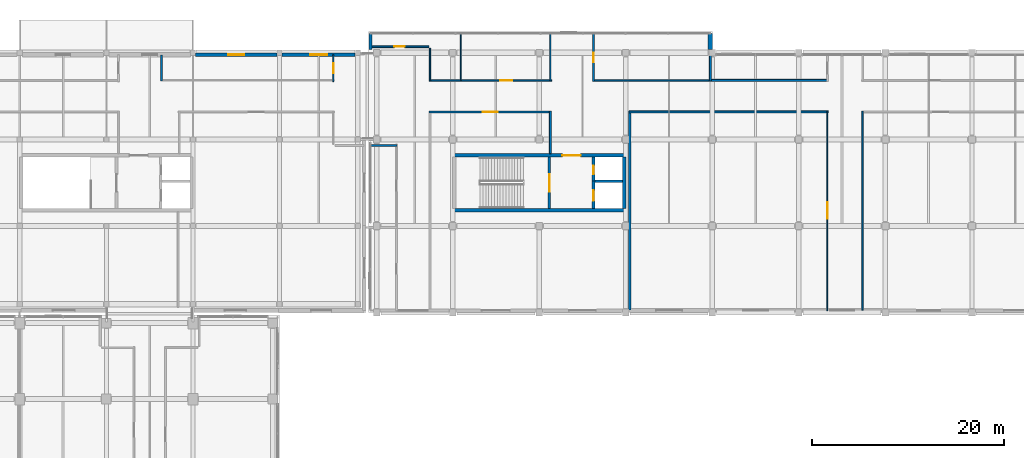
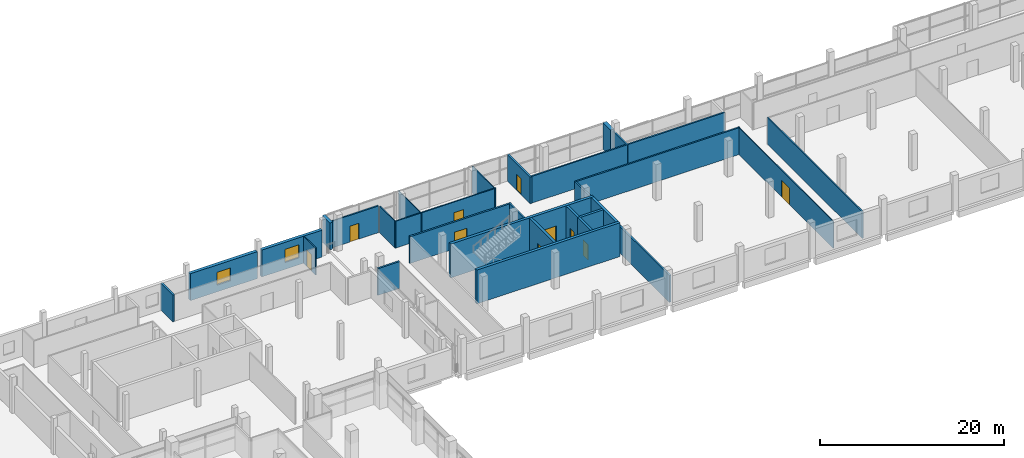
# One storey, part 83 of 111: 30 walls, 10 doors, 2 windows, 12 openings.
"""IFC4 building model written with IfcOpenShell, lengths in metres."""

from ifc_helpers import new_model, si_unit, direction, frame, frame_2d, origin, place, context, subcontext, project, spatial, rectangle, extrude, material, layer, layer_set, type_object, element, fill, save


model = new_model("IFC4")

# Units and contexts
model_context = context("Model", 3, precision=1e-05, world=origin(), true_north=direction((0.0, 1.0)))
body_context = subcontext(model_context, "Body", "Model", "MODEL_VIEW")
ifc_project = project(units=[si_unit("LENGTHUNIT", "METRE"), si_unit("AREAUNIT", "SQUARE_METRE"), si_unit("VOLUMEUNIT", "CUBIC_METRE"), si_unit("PLANEANGLEUNIT", "RADIAN"), si_unit("MASSUNIT", "GRAM", prefix="KILO"), si_unit("THERMODYNAMICTEMPERATUREUNIT", "KELVIN"), si_unit("POWERUNIT", "WATT")], contexts=[model_context])

# Site, building, storey
site_placement = place(None, origin())
site = spatial("IfcSite", under=ifc_project, at=site_placement, CompositionType="ELEMENT")
building_placement = place(site_placement, origin())
building = spatial("IfcBuilding", under=site, at=building_placement, Name="Sindhuravela Promenade Stadium", CompositionType="ELEMENT")
storey_placement = place(building_placement, frame((0.0, 0.0, 9.60009765625)))
storey = spatial("IfcBuildingStorey", under=building, at=storey_placement, Name="L02", CompositionType="ELEMENT", Elevation=9.60009765625)

# Wall
ifc_material_1 = material(Name="Terracotta clay brick masonry (15 MPa)", Category="masonry")
ifc_layer_1 = layer(ifc_material_1, 0.340087890625)
ifc_layer_set_1 = layer_set([ifc_layer_1], Name="Terracotta clay brick masonry (15 MPa)")
wall_type_1 = type_object("IfcWallType", Name="EX-WL-BRK340", PredefinedType="SOLIDWALL", material=ifc_layer_set_1)
wall_1_placement = place(storey_placement, frame((54.449951171875, 153.35498046875, 0.0), z_axis=(0.0, 0.0, 1.0), x_axis=(0.0, 1.0, 0.0)))
element("IfcWall", 1, at=wall_1_placement, inside=storey, type_object=wall_type_1, Name="Exterior masonry wall EW06 NORTH L02", PredefinedType="SOLIDWALL", context=body_context, shape_type="SweptSolid", body=[
    extrude(rectangle(XDim=1.64501953125, YDim=0.340087890625, at=frame_2d((0.822509765625, 0.0))), origin(), (0.0, 0.0, 1.0), 3.579833984375),
])

# Wall, opening, window
ifc_layer_2 = layer(ifc_material_1, 0.3798828125)
ifc_layer_set_2 = layer_set([ifc_layer_2], Name="Terracotta clay brick masonry (15 MPa)")
wall_type_2 = type_object("IfcWallType", Name="EX-WL-BRK380", PredefinedType="SOLIDWALL", material=ifc_layer_set_2)
wall_2_placement = place(storey_placement, frame((45.280029296875, 152.800048828125, 0.0), z_axis=(0.0, 0.0, 1.0), x_axis=(1.0, 0.0, 0.0)))
wall_2 = element("IfcWall", 2, at=wall_2_placement, inside=storey, type_object=wall_type_2, Name="Exterior masonry wall EW04 Pavilion NW L02", PredefinedType="SOLIDWALL", context=body_context, shape_type="SweptSolid", body=[
    extrude(rectangle(XDim=7.590087890625, YDim=0.3798828125, at=frame_2d((3.794921875, 0.0))), origin(), (0.0, 0.0, 1.0), 3.579833984375),
])
opening_1_placement = place(wall_2_placement, frame((2.89501953125, 0.0, 0.89990234375)))
opening_1 = element("IfcOpeningElement", 3, at=opening_1_placement, cuts=wall_2, Name="Opening W08", PredefinedType="OPENING", context=body_context, shape_type="SweptSolid", body=[
    extrude(rectangle(XDim=1.800048828125, YDim=1.75, at=frame_2d((0.89990234375, 0.875))), frame((0.0, 0.199951171875, 0.0), z_axis=(0.0, -1.0, 0.0), x_axis=(1.0, 0.0, 0.0)), (0.0, 0.0, 1.0), 0.39990234375),
])
ifc_material_2 = material(Name="Tempered laminated low-E glass", Category="glass")
window_type_1 = type_object("IfcWindowType", Name="WN-FAC-1800x1750", PartitioningType="DOUBLE_PANEL_VERTICAL", PredefinedType="WINDOW", material=ifc_material_2)
window_1_placement = place(opening_1_placement, origin())
window_1 = element("IfcWindow", 4, at=window_1_placement, inside=storey, type_object=window_type_1, Name="Window W08 Pavilion NW L02", OverallHeight=1.75, OverallWidth=1.800048828125, PartitioningType="DOUBLE_PANEL_VERTICAL", PredefinedType="WINDOW", context=body_context, shape_type="SweptSolid", body=[
    extrude(rectangle(XDim=1.800048828125, YDim=1.75, at=frame_2d((0.89990234375, 0.875))), frame((0.0, 0.030029296875, 0.0), z_axis=(0.0, -1.0, 0.0), x_axis=(1.0, 0.0, 0.0)), (0.0, 0.0, 1.0), 0.06005859375),
])
fill(opening_1, window_1)

ifc_layer_3 = layer(ifc_material_1, 0.39990234375)
ifc_layer_set_3 = layer_set([ifc_layer_3], Name="Terracotta clay brick masonry (15 MPa)")
wall_type_3 = type_object("IfcWallType", Name="EX-WL-BRK400", PredefinedType="SOLIDWALL", material=ifc_layer_set_3)
wall_3_placement = place(storey_placement, frame((36.280029296875, 152.800048828125, 0.0), z_axis=(0.0, 0.0, 1.0), x_axis=(1.0, 0.0, 0.0)))
wall_3 = element("IfcWall", 5, at=wall_3_placement, inside=storey, type_object=wall_type_3, Name="Exterior masonry wall EW03 Pavilion NW L02", PredefinedType="SOLIDWALL", context=body_context, shape_type="SweptSolid", body=[
    extrude(rectangle(XDim=8.43994140625, YDim=0.39990234375, at=frame_2d((4.219970703125, 0.0))), origin(), (0.0, 0.0, 1.0), 3.579833984375),
])
opening_2_placement = place(wall_3_placement, frame((3.3701171875, 0.0, 0.89990234375)))
opening_2 = element("IfcOpeningElement", 6, at=opening_2_placement, cuts=wall_3, Name="Opening W07", PredefinedType="OPENING", context=body_context, shape_type="SweptSolid", body=[
    extrude(rectangle(XDim=1.699951171875, YDim=1.699951171875, at=frame_2d((0.85009765625, 0.85009765625))), frame((0.0, 0.2099609375, 0.0), z_axis=(0.0, -1.0, 0.0), x_axis=(1.0, 0.0, 0.0)), (0.0, 0.0, 1.0), 0.419921875),
])
window_type_2 = type_object("IfcWindowType", Name="WN-FAC-1700x1700", PartitioningType="SINGLE_PANEL", PredefinedType="WINDOW", material=ifc_material_2)
window_2_placement = place(opening_2_placement, origin())
window_2 = element("IfcWindow", 7, at=window_2_placement, inside=storey, type_object=window_type_2, Name="Window W07 Pavilion NW L02", OverallHeight=1.699951171875, OverallWidth=1.699951171875, PartitioningType="SINGLE_PANEL", PredefinedType="WINDOW", context=body_context, shape_type="SweptSolid", body=[
    extrude(rectangle(XDim=1.699951171875, YDim=1.699951171875, at=frame_2d((0.85009765625, 0.85009765625))), frame((0.0, 0.030029296875, 0.0), z_axis=(0.0, -1.0, 0.0), x_axis=(1.0, 0.0, 0.0)), (0.0, 0.0, 1.0), 0.06005859375),
])
fill(opening_2, window_2)

# Wall
ifc_layer_4 = layer(ifc_material_1, 0.4599609375)
ifc_layer_set_4 = layer_set([ifc_layer_4], Name="Terracotta clay brick masonry (15 MPa)")
wall_type_4 = type_object("IfcWallType", Name="EX-WL-BRK460", PredefinedType="SOLIDWALL", material=ifc_layer_set_4)
wall_4_placement = place(storey_placement, frame((89.800048828125, 155.0, 0.0), z_axis=(0.0, 0.0, 1.0), x_axis=(0.0, -1.0, 0.0)))
element("IfcWall", 8, at=wall_4_placement, inside=storey, type_object=wall_type_4, Name="Exterior masonry wall EW01 NORTH L02", PredefinedType="SOLIDWALL", context=body_context, shape_type="SweptSolid", body=[
    extrude(rectangle(XDim=1.64501953125, YDim=0.4599609375, at=frame_2d((0.822509765625, 0.0))), origin(), (0.0, 0.0, 1.0), 3.579833984375),
])

# Wall, opening, door
ifc_material_3 = material(Name="Fire-rated gypsum partition board", Category="gypsum")
ifc_layer_5 = layer(ifc_material_3, 0.110107421875)
ifc_layer_set_5 = layer_set([ifc_layer_5], Name="Fire-rated gypsum partition board")
wall_type_5 = type_object("IfcWallType", Name="IN-WL-PAR110", PredefinedType="PARTITIONING", material=ifc_layer_set_5)
wall_5_placement = place(storey_placement, frame((101.9599609375, 126.199951171875, 0.0), z_axis=(0.0, 0.0, 1.0), x_axis=(0.0, 1.0, 0.0)))
wall_5 = element("IfcWall", 9, at=wall_5_placement, inside=storey, type_object=wall_type_5, Name="Corridor partition IW06 North Supporters Concourse Ring", PredefinedType="PARTITIONING", context=body_context, shape_type="SweptSolid", body=[
    extrude(rectangle(XDim=20.780029296875, YDim=0.110107421875, at=frame_2d((10.39013671875, 0.0))), origin(), (0.0, 0.0, 1.0), 3.559814453125),
])
opening_3_placement = place(wall_5_placement, frame((9.5400390625, 0.0, 0.0)))
opening_3 = element("IfcOpeningElement", 10, at=opening_3_placement, cuts=wall_5, Name="Opening ID01", PredefinedType="OPENING", context=body_context, shape_type="SweptSolid", body=[
    extrude(rectangle(XDim=1.699951171875, YDim=2.199951171875, at=frame_2d((0.85009765625, 1.10009765625))), frame((0.0, 0.06494140625, 0.0), z_axis=(0.0, -1.0, 0.0), x_axis=(1.0, 0.0, 0.0)), (0.0, 0.0, 1.0), 0.130126953125),
])
ifc_material_4 = material(Name="Architectural teak timber leaf", Category="wood")
door_type_1 = type_object("IfcDoorType", Name="DR-INT-1700x2200", OperationType="DOUBLE_DOOR_SINGLE_SWING", PredefinedType="DOOR", material=ifc_material_4)
door_1_placement = place(opening_3_placement, origin())
door_1 = element("IfcDoor", 11, at=door_1_placement, inside=storey, type_object=door_type_1, Name="North Supporters Concourse Ring door", OperationType="DOUBLE_DOOR_SINGLE_SWING", OverallHeight=2.199951171875, OverallWidth=1.699951171875, PredefinedType="DOOR", context=body_context, shape_type="SweptSolid", body=[
    extrude(rectangle(XDim=1.699951171875, YDim=2.199951171875, at=frame_2d((0.85009765625, 1.10009765625))), frame((0.0, 0.02490234375, 0.0), z_axis=(0.0, -1.0, 0.0), x_axis=(1.0, 0.0, 0.0)), (0.0, 0.0, 1.0), 0.050048828125),
])
fill(opening_3, door_1)

# Walls
wall_6_placement = place(storey_placement, frame((63.864990234375, 150.06005859375, 0.0), z_axis=(0.0, 0.0, 1.0), x_axis=(0.0, 1.0, 0.0)))
element("IfcWall", 12, at=wall_6_placement, inside=storey, type_object=wall_type_5, Name="Interior partition IW06 NORTH L02", PredefinedType="PARTITIONING", context=body_context, shape_type="SweptSolid", body=[
    extrude(rectangle(XDim=4.906982421875, YDim=0.110107421875, at=frame_2d((2.45361328125, 0.0))), origin(), (0.0, 0.0, 1.0), 3.559814453125),
])
ifc_layer_6 = layer(ifc_material_3, 0.1298828125)
ifc_layer_set_6 = layer_set([ifc_layer_6], Name="Fire-rated gypsum partition board")
wall_type_6 = type_object("IfcWallType", Name="IN-WL-PAR130", PredefinedType="PARTITIONING", material=ifc_layer_set_6)
wall_7_placement = place(storey_placement, frame((73.159912109375, 154.967041015625, 0.0), z_axis=(0.0, 0.0, 1.0), x_axis=(0.0, -1.0, 0.0)))
element("IfcWall", 13, at=wall_7_placement, inside=storey, type_object=wall_type_6, Name="Interior partition IW05 NORTH L02", PredefinedType="PARTITIONING", context=body_context, shape_type="SweptSolid", body=[
    extrude(rectangle(XDim=4.906982421875, YDim=0.1298828125, at=frame_2d((2.45361328125, 0.0))), origin(), (0.0, 0.0, 1.0), 3.559814453125),
])
wall_8_placement = place(storey_placement, frame((60.639892578125, 150.06005859375, 0.0), z_axis=(0.0, 0.0, 1.0), x_axis=(0.0, 1.0, 0.0)))
element("IfcWall", 14, at=wall_8_placement, inside=storey, type_object=wall_type_6, Name="Interior partition IW05 NORTH L02", PredefinedType="PARTITIONING", context=body_context, shape_type="SweptSolid", body=[
    extrude(rectangle(XDim=3.419921875, YDim=0.1298828125, at=frame_2d((1.7099609375, 0.0))), origin(), (0.0, 0.0, 1.0), 3.559814453125),
])

# Wall, opening, door
wall_9_placement = place(storey_placement, frame((50.590087890625, 150.02001953125, 0.0), z_axis=(0.0, 0.0, 1.0), x_axis=(0.0, 1.0, 0.0)))
wall_9 = element("IfcWall", 15, at=wall_9_placement, inside=storey, type_object=wall_type_6, Name="Corridor partition IW05 Accessible WC NW L02", PredefinedType="PARTITIONING", context=body_context, shape_type="SweptSolid", body=[
    extrude(rectangle(XDim=2.780029296875, YDim=0.1298828125, at=frame_2d((1.39013671875, 0.0))), origin(), (0.0, 0.0, 1.0), 3.559814453125),
])
opening_4_placement = place(wall_9_placement, frame((0.8798828125, 0.0, 0.0)))
opening_4 = element("IfcOpeningElement", 16, at=opening_4_placement, cuts=wall_9, Name="Opening ID11", PredefinedType="OPENING", context=body_context, shape_type="SweptSolid", body=[
    extrude(rectangle(XDim=1.02001953125, YDim=2.159912109375, at=frame_2d((0.510009765625, 1.080078125))), frame((0.0, 0.074951171875, 0.0), z_axis=(0.0, -1.0, 0.0), x_axis=(1.0, 0.0, 0.0)), (0.0, 0.0, 1.0), 0.14990234375),
])
door_type_2 = type_object("IfcDoorType", Name="DR-INT-1020x2160", OperationType="NOTDEFINED", PredefinedType="DOOR", material=ifc_material_4)
door_2_placement = place(opening_4_placement, origin())
door_2 = element("IfcDoor", 17, at=door_2_placement, inside=storey, type_object=door_type_2, Name="Accessible WC NW L02 door", OperationType="SINGLE_SWING_LEFT", OverallHeight=2.159912109375, OverallWidth=1.02001953125, PredefinedType="DOOR", context=body_context, shape_type="SweptSolid", body=[
    extrude(rectangle(XDim=1.02001953125, YDim=2.159912109375, at=frame_2d((0.510009765625, 1.080078125))), frame((0.0, 0.02490234375, 0.0), z_axis=(0.0, -1.0, 0.0), x_axis=(1.0, 0.0, 0.0)), (0.0, 0.0, 1.0), 0.050048828125),
])
fill(opening_4, door_2)

# Wall
ifc_layer_7 = layer(ifc_material_3, 0.14990234375)
ifc_layer_set_7 = layer_set([ifc_layer_7], Name="Fire-rated gypsum partition board")
wall_type_7 = type_object("IfcWallType", Name="IN-WL-PAR150", PredefinedType="PARTITIONING", material=ifc_layer_set_7)
wall_10_placement = place(storey_placement, frame((105.639892578125, 126.239990234375, 0.0), z_axis=(0.0, 0.0, 1.0), x_axis=(0.0, 1.0, 0.0)))
element("IfcWall", 18, at=wall_10_placement, inside=storey, type_object=wall_type_7, Name="Interior partition IW04 NORTH L02", PredefinedType="PARTITIONING", context=body_context, shape_type="SweptSolid", body=[
    extrude(rectangle(XDim=20.699951171875, YDim=0.14990234375, at=frame_2d((10.35009765625, 0.0))), origin(), (0.0, 0.0, 1.0), 3.559814453125),
])

# Wall, opening, door
wall_11_placement = place(storey_placement, frame((63.864990234375, 150.139892578125, 0.0), z_axis=(0.0, 0.0, 1.0), x_axis=(1.0, 0.0, 0.0)))
wall_11 = element("IfcWall", 19, at=wall_11_placement, inside=storey, type_object=wall_type_7, Name="Corridor partition IW04 Youth Supporters Activity Hall 5", PredefinedType="PARTITIONING", context=body_context, shape_type="SweptSolid", body=[
    extrude(rectangle(XDim=9.4150390625, YDim=0.14990234375, at=frame_2d((4.70751953125, 0.0))), origin(), (0.0, 0.0, 1.0), 3.559814453125),
])
opening_5_placement = place(wall_11_placement, frame((4.08251953125, 0.0, 0.0)))
opening_5 = element("IfcOpeningElement", 20, at=opening_5_placement, cuts=wall_11, Name="Opening ID04", PredefinedType="OPENING", context=body_context, shape_type="SweptSolid", body=[
    extrude(rectangle(XDim=1.25, YDim=2.14990234375, at=frame_2d((0.625, 1.074951171875))), frame((0.0, 0.0849609375, 0.0), z_axis=(0.0, -1.0, 0.0), x_axis=(1.0, 0.0, 0.0)), (0.0, 0.0, 1.0), 0.169921875),
])
door_type_3 = type_object("IfcDoorType", Name="DR-INT-1250x2150", OperationType="NOTDEFINED", PredefinedType="DOOR", material=ifc_material_4)
door_3_placement = place(opening_5_placement, origin())
door_3 = element("IfcDoor", 21, at=door_3_placement, inside=storey, type_object=door_type_3, Name="Youth Supporters Activity Hall 5 door", OperationType="SINGLE_SWING_LEFT", OverallHeight=2.14990234375, OverallWidth=1.25, PredefinedType="DOOR", context=body_context, shape_type="SweptSolid", body=[
    extrude(rectangle(XDim=1.25, YDim=2.14990234375, at=frame_2d((0.625, 1.074951171875))), frame((0.0, 0.02490234375, 0.0), z_axis=(0.0, -1.0, 0.0), x_axis=(1.0, 0.0, 0.0)), (0.0, 0.0, 1.0), 0.050048828125),
])
fill(opening_5, door_3)

# Walls
wall_12_placement = place(storey_placement, frame((63.824951171875, 150.139892578125, 0.0), z_axis=(0.0, 0.0, 1.0), x_axis=(-1.0, 0.0, 0.0)))
element("IfcWall", 22, at=wall_12_placement, inside=storey, type_object=wall_type_7, Name="Interior partition IW04 NORTH L02", PredefinedType="PARTITIONING", context=body_context, shape_type="SweptSolid", body=[
    extrude(rectangle(XDim=3.264892578125, YDim=0.14990234375, at=frame_2d((1.63232421875, 0.0))), origin(), (0.0, 0.0, 1.0), 3.559814453125),
])
ifc_layer_8 = layer(ifc_material_3, 0.175048828125)
ifc_layer_set_8 = layer_set([ifc_layer_8], Name="Fire-rated gypsum partition board")
wall_type_8 = type_object("IfcWallType", Name="IN-WL-PAR175", PredefinedType="PARTITIONING", material=ifc_layer_set_8)
wall_13_placement = place(storey_placement, frame((89.760009765625, 150.139892578125, 0.0), z_axis=(0.0, 0.0, 1.0), x_axis=(-1.0, 0.0, 0.0)))
element("IfcWall", 23, at=wall_13_placement, inside=storey, type_object=wall_type_8, Name="Interior partition IW03 NORTH L02", PredefinedType="PARTITIONING", context=body_context, shape_type="SweptSolid", body=[
    extrude(rectangle(XDim=12.199951171875, YDim=0.175048828125, at=frame_2d((6.10009765625, 0.0))), origin(), (0.0, 0.0, 1.0), 3.559814453125),
])

# Wall, opening, door
wall_14_placement = place(storey_placement, frame((54.449951171875, 153.639892578125, 0.0), z_axis=(0.0, 0.0, 1.0), x_axis=(1.0, 0.0, 0.0)))
wall_14 = element("IfcWall", 24, at=wall_14_placement, inside=storey, type_object=wall_type_8, Name="Corridor partition IW03 Public Toilet Block North L02 7", PredefinedType="PARTITIONING", context=body_context, shape_type="SweptSolid", body=[
    extrude(rectangle(XDim=6.070068359375, YDim=0.175048828125, at=frame_2d((3.03515625, 0.0))), origin(), (0.0, 0.0, 1.0), 3.559814453125),
])
opening_6_placement = place(wall_14_placement, frame((2.485107421875, 0.0, 0.0)))
opening_6 = element("IfcOpeningElement", 25, at=opening_6_placement, cuts=wall_14, Name="Opening ID06", PredefinedType="OPENING", context=body_context, shape_type="SweptSolid", body=[
    extrude(rectangle(XDim=1.10009765625, YDim=2.10009765625, at=frame_2d((0.550048828125, 1.050048828125))), frame((0.0, 0.097412109375, 0.0), z_axis=(0.0, -1.0, 0.0), x_axis=(1.0, 0.0, 0.0)), (0.0, 0.0, 1.0), 0.195068359375),
])
door_type_4 = type_object("IfcDoorType", Name="DR-INT-1100x2100", OperationType="NOTDEFINED", PredefinedType="DOOR", material=ifc_material_4)
door_4_placement = place(opening_6_placement, origin())
door_4 = element("IfcDoor", 26, at=door_4_placement, inside=storey, type_object=door_type_4, Name="Public Toilet Block North L02 7 door", OperationType="SINGLE_SWING_LEFT", OverallHeight=2.10009765625, OverallWidth=1.10009765625, PredefinedType="DOOR", context=body_context, shape_type="SweptSolid", body=[
    extrude(rectangle(XDim=1.10009765625, YDim=2.10009765625, at=frame_2d((0.550048828125, 1.050048828125))), frame((0.0, 0.02490234375, 0.0), z_axis=(0.0, -1.0, 0.0), x_axis=(1.0, 0.0, 0.0)), (0.0, 0.0, 1.0), 0.050048828125),
])
fill(opening_6, door_4)

# Walls
ifc_layer_9 = layer(ifc_material_3, 0.195068359375)
ifc_layer_set_9 = layer_set([ifc_layer_9], Name="Fire-rated gypsum partition board")
wall_type_9 = type_object("IfcWallType", Name="IN-WL-PAR195", PredefinedType="PARTITIONING", material=ifc_layer_set_9)
wall_15_placement = place(storey_placement, frame((81.340087890625, 146.860107421875, 0.0), z_axis=(0.0, 0.0, 1.0), x_axis=(1.0, 0.0, 0.0)))
element("IfcWall", 27, at=wall_15_placement, inside=storey, type_object=wall_type_9, Name="Interior partition IW02 NORTH L02", PredefinedType="PARTITIONING", context=body_context, shape_type="SweptSolid", body=[
    extrude(rectangle(XDim=20.699951171875, YDim=0.195068359375, at=frame_2d((10.35009765625, 0.0))), origin(), (0.0, 0.0, 1.0), 3.559814453125),
])
wall_16_placement = place(storey_placement, frame((73.159912109375, 146.93994140625, 0.0), z_axis=(0.0, 0.0, 1.0), x_axis=(0.0, -1.0, 0.0)))
element("IfcWall", 28, at=wall_16_placement, inside=storey, type_object=wall_type_9, Name="Interior partition IW02 NORTH L02", PredefinedType="PARTITIONING", context=body_context, shape_type="SweptSolid", body=[
    extrude(rectangle(XDim=4.412841796875, YDim=0.195068359375, at=frame_2d((2.20654296875, 0.0))), origin(), (0.0, 0.0, 1.0), 3.559814453125),
])
wall_17_placement = place(storey_placement, frame((89.800048828125, 153.080078125, 0.0), z_axis=(0.0, 0.0, 1.0), x_axis=(0.0, -1.0, 0.0)))
element("IfcWall", 29, at=wall_17_placement, inside=storey, type_object=wall_type_9, Name="Interior partition IW02 NORTH L02", PredefinedType="PARTITIONING", context=body_context, shape_type="SweptSolid", body=[
    extrude(rectangle(XDim=3.02001953125, YDim=0.195068359375, at=frame_2d((1.510009765625, 0.0))), origin(), (0.0, 0.0, 1.0), 3.559814453125),
])
wall_18_placement = place(storey_placement, frame((102.0400390625, 150.139892578125, 0.0), z_axis=(0.0, 0.0, 1.0), x_axis=(-1.0, 0.0, 0.0)))
element("IfcWall", 30, at=wall_18_placement, inside=storey, type_object=wall_type_9, Name="Interior partition IW02 NORTH L02", PredefinedType="PARTITIONING", context=body_context, shape_type="SweptSolid", body=[
    extrude(rectangle(XDim=12.199951171875, YDim=0.195068359375, at=frame_2d((6.10009765625, 0.0))), origin(), (0.0, 0.0, 1.0), 3.559814453125),
])
ifc_layer_10 = layer(ifc_material_3, 0.219970703125)
ifc_layer_set_10 = layer_set([ifc_layer_10], Name="Fire-rated gypsum partition board")
wall_type_10 = type_object("IfcWallType", Name="IN-WL-PAR220", PredefinedType="PARTITIONING", material=ifc_layer_set_10)
wall_19_placement = place(storey_placement, frame((81.419921875, 126.239990234375, 0.0), z_axis=(0.0, 0.0, 1.0), x_axis=(0.0, 1.0, 0.0)))
element("IfcWall", 31, at=wall_19_placement, inside=storey, type_object=wall_type_10, Name="Interior partition IW01 NORTH L02", PredefinedType="PARTITIONING", context=body_context, shape_type="SweptSolid", body=[
    extrude(rectangle(XDim=20.699951171875, YDim=0.219970703125, at=frame_2d((10.35009765625, 0.0))), origin(), (0.0, 0.0, 1.0), 3.559814453125),
])

# Wall, opening, door
wall_20_placement = place(storey_placement, frame((73.280029296875, 146.860107421875, 0.0), z_axis=(0.0, 0.0, 1.0), x_axis=(-1.0, 0.0, 0.0)))
wall_20 = element("IfcWall", 32, at=wall_20_placement, inside=storey, type_object=wall_type_10, Name="Corridor partition IW01 Accessible WC North L02", PredefinedType="PARTITIONING", context=body_context, shape_type="SweptSolid", body=[
    extrude(rectangle(XDim=12.760009765625, YDim=0.219970703125, at=frame_2d((6.3798828125, 0.0))), origin(), (0.0, 0.0, 1.0), 3.559814453125),
])
opening_7_placement = place(wall_20_placement, frame((5.60498046875, 0.0, 0.0)))
opening_7 = element("IfcOpeningElement", 33, at=opening_7_placement, cuts=wall_20, Name="Opening ID02", PredefinedType="OPENING", context=body_context, shape_type="SweptSolid", body=[
    extrude(rectangle(XDim=1.550048828125, YDim=2.199951171875, at=frame_2d((0.77490234375, 1.10009765625))), frame((0.0, 0.119873046875, 0.0), z_axis=(0.0, -1.0, 0.0), x_axis=(1.0, 0.0, 0.0)), (0.0, 0.0, 1.0), 0.239990234375),
])
door_type_5 = type_object("IfcDoorType", Name="DR-INT-1550x2200", OperationType="DOUBLE_DOOR_SINGLE_SWING", PredefinedType="DOOR", material=ifc_material_4)
door_5_placement = place(opening_7_placement, origin())
door_5 = element("IfcDoor", 34, at=door_5_placement, inside=storey, type_object=door_type_5, Name="Accessible WC North L02 door", OperationType="DOUBLE_DOOR_SINGLE_SWING", OverallHeight=2.199951171875, OverallWidth=1.550048828125, PredefinedType="DOOR", context=body_context, shape_type="SweptSolid", body=[
    extrude(rectangle(XDim=1.550048828125, YDim=2.199951171875, at=frame_2d((0.77490234375, 1.10009765625))), frame((0.0, 0.02490234375, 0.0), z_axis=(0.0, -1.0, 0.0), x_axis=(1.0, 0.0, 0.0)), (0.0, 0.0, 1.0), 0.050048828125),
])
fill(opening_7, door_5)

wall_21_placement = place(storey_placement, frame((77.639892578125, 155.0, 0.0), z_axis=(0.0, 0.0, 1.0), x_axis=(0.0, -1.0, 0.0)))
wall_21 = element("IfcWall", 35, at=wall_21_placement, inside=storey, type_object=wall_type_10, Name="Corridor partition IW01 North Supporters Concourse Ring 2", PredefinedType="PARTITIONING", context=body_context, shape_type="SweptSolid", body=[
    extrude(rectangle(XDim=4.97998046875, YDim=0.219970703125, at=frame_2d((2.489990234375, 0.0))), origin(), (0.0, 0.0, 1.0), 3.559814453125),
])
opening_8_placement = place(wall_21_placement, frame((1.97998046875, 0.0, 0.0)))
opening_8 = element("IfcOpeningElement", 36, at=opening_8_placement, cuts=wall_21, Name="Opening ID11", PredefinedType="OPENING", context=body_context, shape_type="SweptSolid", body=[
    extrude(rectangle(XDim=1.02001953125, YDim=2.159912109375, at=frame_2d((0.510009765625, 1.080078125))), frame((0.0, 0.119873046875, 0.0), z_axis=(0.0, -1.0, 0.0), x_axis=(1.0, 0.0, 0.0)), (0.0, 0.0, 1.0), 0.239990234375),
])
door_6_placement = place(opening_8_placement, origin())
door_6 = element("IfcDoor", 37, at=door_6_placement, inside=storey, type_object=door_type_2, Name="North Supporters Concourse Ring 2 door", OperationType="SINGLE_SWING_RIGHT", OverallHeight=2.159912109375, OverallWidth=1.02001953125, PredefinedType="DOOR", context=body_context, shape_type="SweptSolid", body=[
    extrude(rectangle(XDim=1.02001953125, YDim=2.159912109375, at=frame_2d((0.510009765625, 1.080078125))), frame((0.0, 0.02490234375, 0.0), z_axis=(0.0, -1.0, 0.0), x_axis=(1.0, 0.0, 0.0)), (0.0, 0.0, 1.0), 0.050048828125),
])
fill(opening_8, door_6)

# Walls
wall_22_placement = place(storey_placement, frame((54.48291015625, 143.360107421875, 0.0), z_axis=(0.0, 0.0, 1.0), x_axis=(1.0, 0.0, 0.0)))
element("IfcWall", 38, at=wall_22_placement, inside=storey, type_object=wall_type_10, Name="Interior partition IW01 NORTH L02", PredefinedType="PARTITIONING", context=body_context, shape_type="SweptSolid", body=[
    extrude(rectangle(XDim=2.757080078125, YDim=0.219970703125, at=frame_2d((1.37841796875, 0.0))), origin(), (0.0, 0.0, 1.0), 3.559814453125),
])
wall_23_placement = place(storey_placement, frame((32.739990234375, 150.06005859375, 0.0), z_axis=(0.0, 0.0, 1.0), x_axis=(0.0, 1.0, 0.0)))
element("IfcWall", 39, at=wall_23_placement, inside=storey, type_object=wall_type_10, Name="Interior partition IW01 Pavilion NW L02", PredefinedType="PARTITIONING", context=body_context, shape_type="SweptSolid", body=[
    extrude(rectangle(XDim=2.699951171875, YDim=0.219970703125, at=frame_2d((1.35009765625, 0.0))), origin(), (0.0, 0.0, 1.0), 3.559814453125),
])

# Wall, opening, door
ifc_material_5 = material(Name="Concrete M50", Category="concrete")
ifc_layer_11 = layer(ifc_material_5, 0.300048828125)
ifc_layer_set_11 = layer_set([ifc_layer_11], Name="Concrete M50")
wall_type_11 = type_object("IfcWallType", Name="RC-SW-300", PredefinedType="SHEAR", material=ifc_layer_set_11)
wall_24_placement = place(storey_placement, frame((73.050048828125, 136.824951171875, 0.0), z_axis=(0.0, 0.0, 1.0), x_axis=(0.0, 1.0, 0.0)))
wall_24 = element("IfcWall", 40, at=wall_24_placement, inside=storey, type_object=wall_type_11, Name="Core shear wall C09-ST (L02)", PredefinedType="SHEAR", context=body_context, shape_type="SweptSolid", body=[
    extrude(rectangle(XDim=5.35009765625, YDim=0.300048828125, at=frame_2d((2.675048828125, 0.0))), origin(), (0.0, 0.0, 1.0), 4.5),
])
opening_9_placement = place(wall_24_placement, frame((1.75, 0.0, 0.0)))
opening_9 = element("IfcOpeningElement", 41, at=opening_9_placement, cuts=wall_24, Name="Opening FD01", PredefinedType="OPENING", context=body_context, shape_type="SweptSolid", body=[
    extrude(rectangle(XDim=1.800048828125, YDim=2.25, at=frame_2d((0.89990234375, 1.125))), frame((0.0, 0.159912109375, 0.0), z_axis=(0.0, -1.0, 0.0), x_axis=(1.0, 0.0, 0.0)), (0.0, 0.0, 1.0), 0.320068359375),
])
ifc_material_6 = material(Name="Architectural wrought steel E350", Category="steel")
door_type_6 = type_object("IfcDoorType", Name="DR-CORE-1800x2250", OperationType="DOUBLE_DOOR_SINGLE_SWING", PredefinedType="DOOR", material=ifc_material_6)
door_7_placement = place(opening_9_placement, origin())
door_7 = element("IfcDoor", 42, at=door_7_placement, inside=storey, type_object=door_type_6, Name="Stair ST09 lobby fire door (L02)", OperationType="DOUBLE_DOOR_SINGLE_SWING", OverallHeight=2.25, OverallWidth=1.800048828125, PredefinedType="DOOR", context=body_context, shape_type="SweptSolid", body=[
    extrude(rectangle(XDim=1.800048828125, YDim=2.25, at=frame_2d((0.89990234375, 1.125))), frame((0.0, 0.02490234375, 0.0), z_axis=(0.0, -1.0, 0.0), x_axis=(1.0, 0.0, 0.0)), (0.0, 0.0, 1.0), 0.050048828125),
])
fill(opening_9, door_7)

wall_25_placement = place(storey_placement, frame((77.64990234375, 136.824951171875, 0.0), z_axis=(0.0, 0.0, 1.0), x_axis=(0.0, 1.0, 0.0)))
wall_25 = element("IfcWall", 43, at=wall_25_placement, inside=storey, type_object=wall_type_11, Name="Core shear wall C09-LFT (L02)", PredefinedType="SHEAR", context=body_context, shape_type="SweptSolid", body=[
    extrude(rectangle(XDim=2.824951171875, YDim=0.300048828125, at=frame_2d((1.41259765625, 0.0))), origin(), (0.0, 0.0, 1.0), 4.5),
])
opening_10_placement = place(wall_25_placement, frame((0.77490234375, 0.0, 0.0)))
opening_10 = element("IfcOpeningElement", 44, at=opening_10_placement, cuts=wall_25, Name="Opening LD", PredefinedType="OPENING", context=body_context, shape_type="SweptSolid", body=[
    extrude(rectangle(XDim=1.10009765625, YDim=2.10009765625, at=frame_2d((0.550048828125, 1.050048828125))), frame((0.0, 0.159912109375, 0.0), z_axis=(0.0, -1.0, 0.0), x_axis=(1.0, 0.0, 0.0)), (0.0, 0.0, 1.0), 0.320068359375),
])
door_type_7 = type_object("IfcDoorType", Name="DR-LFT-1100x2100", OperationType="DOUBLE_DOOR_SLIDING", PredefinedType="DOOR", material=ifc_material_6)
door_8_placement = place(opening_10_placement, origin())
door_8 = element("IfcDoor", 45, at=door_8_placement, inside=storey, type_object=door_type_7, Name="Lift PL03 landing door (L02)", OperationType="DOUBLE_DOOR_SLIDING", OverallHeight=2.10009765625, OverallWidth=1.10009765625, PredefinedType="DOOR", context=body_context, shape_type="SweptSolid", body=[
    extrude(rectangle(XDim=1.10009765625, YDim=2.10009765625, at=frame_2d((0.550048828125, 1.050048828125))), frame((0.0, 0.02490234375, 0.0), z_axis=(0.0, -1.0, 0.0), x_axis=(1.0, 0.0, 0.0)), (0.0, 0.0, 1.0), 0.050048828125),
])
fill(opening_10, door_8)

wall_26_placement = place(storey_placement, frame((77.64990234375, 139.64990234375, 0.0), z_axis=(0.0, 0.0, 1.0), x_axis=(0.0, 1.0, 0.0)))
wall_26 = element("IfcWall", 46, at=wall_26_placement, inside=storey, type_object=wall_type_11, Name="Core shear wall C09-RSR (L02)", PredefinedType="SHEAR", context=body_context, shape_type="SweptSolid", body=[
    extrude(rectangle(XDim=2.525146484375, YDim=0.300048828125, at=frame_2d((1.2626953125, 0.0))), origin(), (0.0, 0.0, 1.0), 4.5),
])
opening_11_placement = place(wall_26_placement, frame((0.72509765625, 0.0, 0.0)))
opening_11 = element("IfcOpeningElement", 47, at=opening_11_placement, cuts=wall_26, Name="Opening FD03", PredefinedType="OPENING", context=body_context, shape_type="SweptSolid", body=[
    extrude(rectangle(XDim=0.89990234375, YDim=2.10009765625, at=frame_2d((0.449951171875, 1.050048828125))), frame((0.0, 0.159912109375, 0.0), z_axis=(0.0, -1.0, 0.0), x_axis=(1.0, 0.0, 0.0)), (0.0, 0.0, 1.0), 0.320068359375),
])
door_type_8 = type_object("IfcDoorType", Name="DR-RSR-900x2100", OperationType="NOTDEFINED", PredefinedType="DOOR", material=ifc_material_6)
door_9_placement = place(opening_11_placement, origin())
door_9 = element("IfcDoor", 48, at=door_9_placement, inside=storey, type_object=door_type_8, Name="Riser shaft access door C09 (L02)", OperationType="SINGLE_SWING_LEFT", OverallHeight=2.10009765625, OverallWidth=0.89990234375, PredefinedType="DOOR", context=body_context, shape_type="SweptSolid", body=[
    extrude(rectangle(XDim=0.89990234375, YDim=2.10009765625, at=frame_2d((0.449951171875, 1.050048828125))), frame((0.0, 0.02490234375, 0.0), z_axis=(0.0, -1.0, 0.0), x_axis=(1.0, 0.0, 0.0)), (0.0, 0.0, 1.0), 0.050048828125),
])
fill(opening_11, door_9)

# Walls
wall_27_placement = place(storey_placement, frame((77.800048828125, 139.64990234375, 0.0), z_axis=(0.0, 0.0, 1.0), x_axis=(1.0, 0.0, 0.0)))
element("IfcWall", 49, at=wall_27_placement, inside=storey, type_object=wall_type_11, Name="Core shear wall C09-DIV (L02)", PredefinedType="SHEAR", context=body_context, shape_type="SweptSolid", body=[
    extrude(rectangle(XDim=2.875, YDim=0.300048828125, at=frame_2d((1.4375, 0.0))), origin(), (0.0, 0.0, 1.0), 4.5),
])
ifc_layer_12 = layer(ifc_material_5, 0.35009765625)
ifc_layer_set_12 = layer_set([ifc_layer_12], Name="Concrete M50")
wall_type_12 = type_object("IfcWallType", Name="RC-SW-350", PredefinedType="SHEAR", material=ifc_layer_set_12)
wall_28_placement = place(storey_placement, frame((63.0, 136.64990234375, 0.0), z_axis=(0.0, 0.0, 1.0), x_axis=(1.0, 0.0, 0.0)))
element("IfcWall", 50, at=wall_28_placement, inside=storey, type_object=wall_type_12, Name="Core shear wall C09-S (L02)", PredefinedType="SHEAR", context=body_context, shape_type="SweptSolid", body=[
    extrude(rectangle(XDim=18.0, YDim=0.35009765625, at=frame_2d((9.0, 0.0))), origin(), (0.0, 0.0, 1.0), 4.5),
])

# Wall, opening, door
wall_29_placement = place(storey_placement, frame((81.0, 142.35009765625, 0.0), z_axis=(0.0, 0.0, 1.0), x_axis=(-1.0, 0.0, 0.0)))
wall_29 = element("IfcWall", 51, at=wall_29_placement, inside=storey, type_object=wall_type_12, Name="Core shear wall C09-N (L02)", PredefinedType="SHEAR", context=body_context, shape_type="SweptSolid", body=[
    extrude(rectangle(XDim=18.0, YDim=0.35009765625, at=frame_2d((9.0, 0.0))), origin(), (0.0, 0.0, 1.0), 4.5),
])
opening_12_placement = place(wall_29_placement, frame((4.699951171875, 0.0, 0.0)))
opening_12 = element("IfcOpeningElement", 52, at=opening_12_placement, cuts=wall_29, Name="Opening FD02", PredefinedType="OPENING", context=body_context, shape_type="SweptSolid", body=[
    extrude(rectangle(XDim=1.89990234375, YDim=2.25, at=frame_2d((0.949951171875, 1.125))), frame((0.0, 0.18505859375, 0.0), z_axis=(0.0, -1.0, 0.0), x_axis=(1.0, 0.0, 0.0)), (0.0, 0.0, 1.0), 0.3701171875),
])
door_type_9 = type_object("IfcDoorType", Name="DR-LOB-1900x2250", OperationType="DOUBLE_DOOR_SINGLE_SWING", PredefinedType="DOOR", material=ifc_material_6)
door_10_placement = place(opening_12_placement, origin())
door_10 = element("IfcDoor", 53, at=door_10_placement, inside=storey, type_object=door_type_9, Name="Protected lobby entrance door C09 (L02)", OperationType="DOUBLE_DOOR_SINGLE_SWING", OverallHeight=2.25, OverallWidth=1.89990234375, PredefinedType="DOOR", context=body_context, shape_type="SweptSolid", body=[
    extrude(rectangle(XDim=1.89990234375, YDim=2.25, at=frame_2d((0.949951171875, 1.125))), frame((0.0, 0.02490234375, 0.0), z_axis=(0.0, -1.0, 0.0), x_axis=(1.0, 0.0, 0.0)), (0.0, 0.0, 1.0), 0.050048828125),
])
fill(opening_12, door_10)

# Wall
wall_30_placement = place(storey_placement, frame((80.85009765625, 136.824951171875, 0.0), z_axis=(0.0, 0.0, 1.0), x_axis=(0.0, 1.0, 0.0)))
element("IfcWall", 54, at=wall_30_placement, inside=storey, type_object=wall_type_12, Name="Core shear wall C09-E (L02)", PredefinedType="SHEAR", context=body_context, shape_type="SweptSolid", body=[
    extrude(rectangle(XDim=5.35009765625, YDim=0.35009765625, at=frame_2d((2.675048828125, 0.0))), origin(), (0.0, 0.0, 1.0), 4.5),
])

save(model, "model.ifc")
